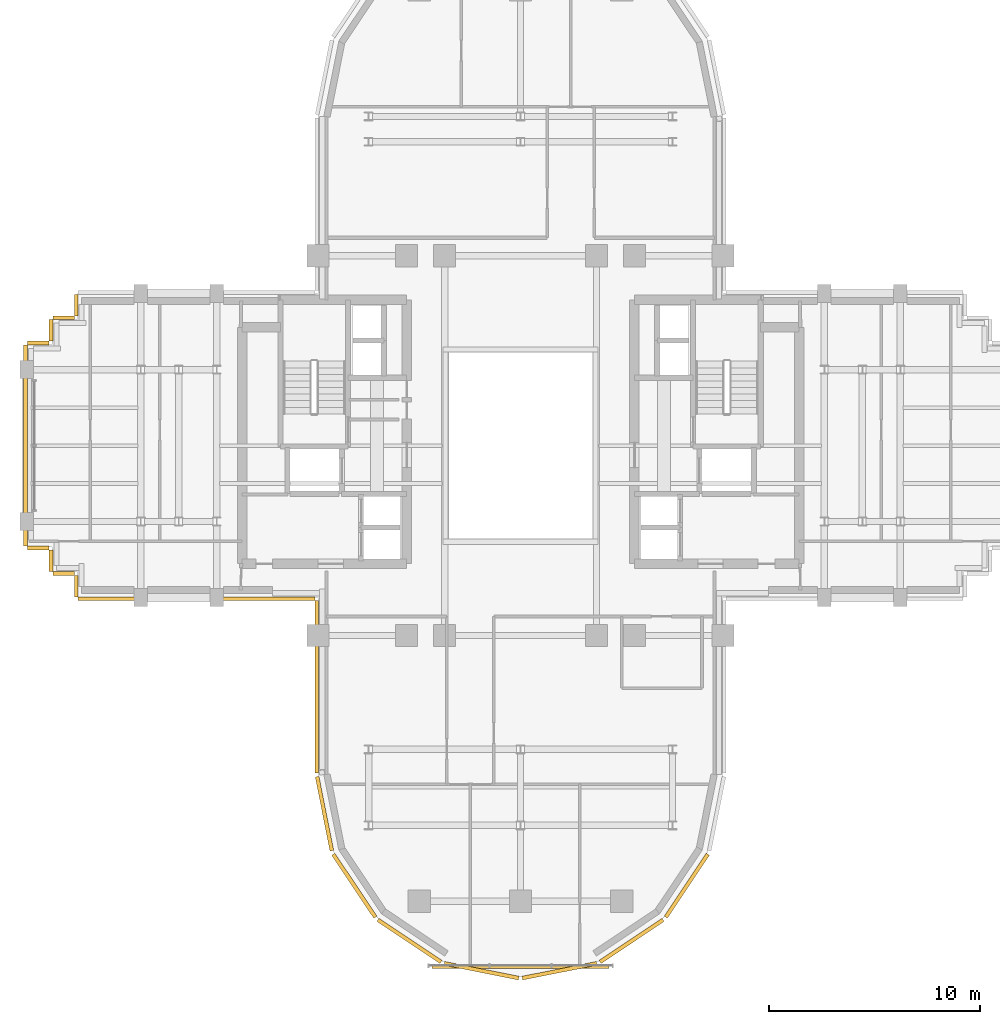
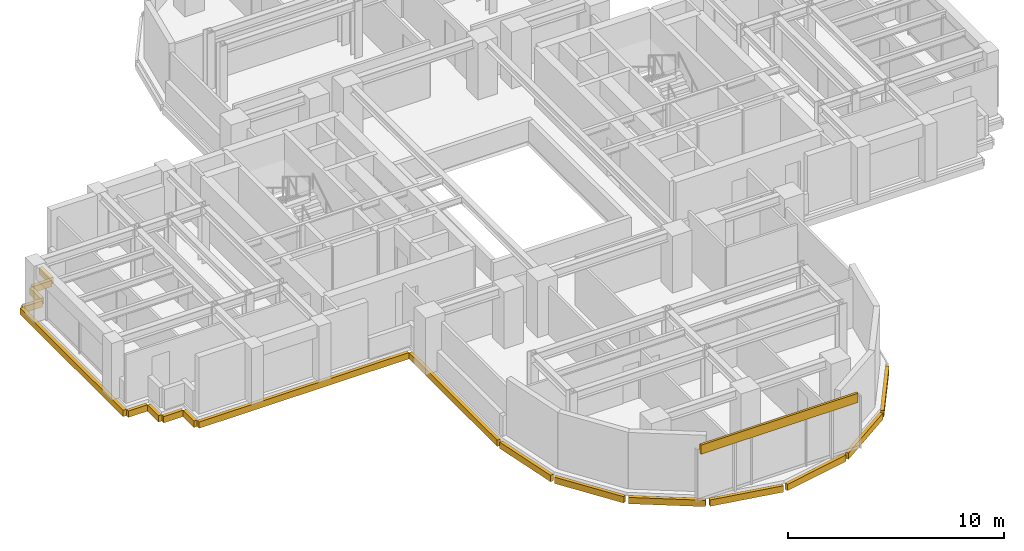
# One storey, part 12 of 14: 19 coverings.
"""IFC4 building model written with IfcOpenShell, lengths in metres."""

from ifc_helpers import new_model, si_unit, direction, frame, origin, origin_2d, place, context, subcontext, project, spatial, rectangle, extrude, source, transform, mapped, material, layer, layer_set, type_object, element, save


model = new_model("IFC4")

# Units and contexts
model_context = context("Model", 3, precision=1e-05, world=origin(), true_north=direction((0.0, 1.0)))
body_context = subcontext(model_context, "Body", "Model", "MODEL_VIEW")
ifc_project = project(units=[si_unit("LENGTHUNIT", "METRE"), si_unit("AREAUNIT", "SQUARE_METRE"), si_unit("VOLUMEUNIT", "CUBIC_METRE"), si_unit("PLANEANGLEUNIT", "RADIAN"), si_unit("MASSUNIT", "GRAM", prefix="KILO")], contexts=[model_context])

# Site, building, storey
site_placement = place(None, origin())
site = spatial("IfcSite", under=ifc_project, at=site_placement, CompositionType="ELEMENT")
building_placement = place(site_placement, origin())
building = spatial("IfcBuilding", under=site, at=building_placement, Name="Keilestroom Media Tower", CompositionType="ELEMENT")
storey_placement = place(building_placement, frame((0.0, 0.0, 117.60009765625)))
storey = spatial("IfcBuildingStorey", under=building, at=storey_placement, Name="L31", CompositionType="ELEMENT", Elevation=117.60009765625)

# Coverings
ifc_material = material(Name="Precast concrete C40/50", Category="concrete")
ifc_layer = layer(ifc_material, 0.1201171875)
ifc_layer_set = layer_set([ifc_layer], Name="Precast concrete C40/50")
covering_type = type_object("IfcCoveringType", Name="Exterior-Precast-Spandrel-Cladding-Panel-120", PredefinedType="CLADDING", material=ifc_layer_set)
shared_shape_1 = source(origin(), body_context, "Body", "SweptSolid", [
    extrude(rectangle(XDim=8.39990234375, YDim=0.1201171875, at=origin_2d()), origin(), (0.0, 0.0, 1.0), 0.52001953125),
])
covering_1_placement = place(storey_placement, frame((0.0, -24.719970703125, 2.68994140625), z_axis=(0.0, 0.0, 1.0), x_axis=(1.0, 0.0, 0.0)))
element("IfcCovering", 1, at=covering_1_placement, inside=storey, type_object=covering_type, Name="L31 Precast Spandrel Cladding S", PredefinedType="CLADDING", context=body_context, shape_type="MappedRepresentation", body=[
    mapped(shared_shape_1, transform((0.0, 0.0, 0.0), x_axis=(1.0, 0.0, 0.0), y_axis=(0.0, 1.0, 0.0), z_axis=(0.0, 0.0, 1.0), scale=1.0)),
])
shared_shape_2 = source(origin(), body_context, "Body", "SweptSolid", [
    extrude(rectangle(XDim=1.02001953125, YDim=0.179931640625, at=origin_2d()), origin(), (0.0, 0.0, 1.0), 0.360107421875),
])
for number, where, z_axis, x_axis, name in (
    (2, (-21.06005859375, -6.659912109375, -0.5400390625), (0.0, 0.0, 1.0), (0.0, 1.0, 0.0), "L31 Precast Slab-Edge Fascia Cornice 17"),
    (3, (-21.659912109375, -6.06005859375, -0.5400390625), (0.0, 0.0, 1.0), (-1.0, 0.0, 0.0), "L31 Precast Slab-Edge Fascia Cornice 18"),
    (4, (-22.260009765625, -5.4599609375, -0.5400390625), (0.0, 0.0, 1.0), (0.0, 1.0, 0.0), "L31 Precast Slab-Edge Fascia Cornice 19"),
    (5, (-22.860107421875, -4.860107421875, -0.5400390625), (0.0, 0.0, 1.0), (-1.0, 0.0, 0.0), "L31 Precast Slab-Edge Fascia Cornice 20"),
    (6, (-22.860107421875, 4.860107421875, -0.5400390625), (0.0, 0.0, 1.0), (1.0, 0.0, 0.0), "L31 Precast Slab-Edge Fascia Cornice 22"),
    (7, (-22.260009765625, 5.4599609375, -0.5400390625), (0.0, 0.0, 1.0), (0.0, 1.0, 0.0), "L31 Precast Slab-Edge Fascia Cornice 23"),
    (8, (-21.659912109375, 6.06005859375, -0.5400390625), (0.0, 0.0, 1.0), (1.0, 0.0, 0.0), "L31 Precast Slab-Edge Fascia Cornice 24"),
    (9, (-21.06005859375, 6.659912109375, -0.5400390625), (0.0, 0.0, 1.0), (0.0, 1.0, 0.0), "L31 Precast Slab-Edge Fascia Cornice 25"),
):
    element("IfcCovering", number, at=place(storey_placement, frame(where, z_axis=z_axis, x_axis=x_axis)), inside=storey, type_object=covering_type, Name=name, PredefinedType="CLADDING", context=body_context, shape_type="MappedRepresentation", body=[
        mapped(shared_shape_2, transform((0.0, 0.0, 0.0), x_axis=(1.0, 0.0, 0.0), y_axis=(0.0, 1.0, 0.0), z_axis=(0.0, 0.0, 1.0), scale=1.0)),
    ])
shared_shape_3 = source(origin(), body_context, "Body", "SweptSolid", [
    extrude(rectangle(XDim=8.166015625, YDim=0.179931640625, at=origin_2d()), origin(), (0.0, 0.0, 1.0), 0.360107421875),
])
covering_2_placement = place(storey_placement, frame((-9.659912109375, -11.43310546875, -0.5400390625), z_axis=(0.0, 0.0, 1.0), x_axis=(0.0, 1.0, 0.0)))
element("IfcCovering", 10, at=covering_2_placement, inside=storey, type_object=covering_type, Name="L31 Precast Slab-Edge Fascia Cornice 15", PredefinedType="CLADDING", context=body_context, shape_type="MappedRepresentation", body=[
    mapped(shared_shape_3, transform((0.0, 0.0, 0.0), x_axis=(1.0, 0.0, 0.0), y_axis=(0.0, 1.0, 0.0), z_axis=(0.0, 0.0, 1.0), scale=1.0)),
])
shared_shape_4 = source(origin(), body_context, "Body", "SweptSolid", [
    extrude(rectangle(XDim=3.58349609375, YDim=0.179931640625, at=origin_2d()), origin(), (0.0, 0.0, 1.0), 0.360107421875),
])
covering_3_placement = place(storey_placement, frame((-9.29296875, -17.45166015625, -0.5400390625), z_axis=(0.0, 0.0, 1.0), x_axis=(-0.195098880975, 0.980783577882, 0.0)))
element("IfcCovering", 11, at=covering_3_placement, inside=storey, type_object=covering_type, Name="L31 Precast Slab-Edge Fascia Cornice 14", PredefinedType="CLADDING", context=body_context, shape_type="MappedRepresentation", body=[
    mapped(shared_shape_4, transform((0.0, 0.0, 0.0), x_axis=(1.0, 0.0, 0.0), y_axis=(0.0, 1.0, 0.0), z_axis=(0.0, 0.0, 1.0), scale=1.0)),
])
shared_shape_5 = source(origin(), body_context, "Body", "SweptSolid", [
    extrude(rectangle(XDim=3.589599609375, YDim=0.179931640625, at=origin_2d()), origin(), (0.0, 0.0, 1.0), 0.360107421875),
])
for number, where, z_axis, x_axis, name in (
    (12, (7.878662109375, -20.8642578125, -0.5400390625), (0.0, 0.0, 1.0), (-0.555574586577, -0.831466703332, 0.0), "L31 Precast Slab-Edge Fascia Cornice 08"),
    (13, (5.264404296875, -23.478515625, -0.5400390625), (0.0, 0.0, 1.0), (-0.831466703332, -0.555574586577, 0.0), "L31 Precast Slab-Edge Fascia Cornice 09"),
    (14, (1.8486328125, -24.893310546875, -0.5400390625), (0.0, 0.0, 1.0), (-0.980783577882, -0.195098880975, 0.0), "L31 Precast Slab-Edge Fascia Cornice 10"),
    (15, (-1.8486328125, -24.893310546875, -0.5400390625), (0.0, 0.0, 1.0), (-0.980783577882, 0.195098880975, 0.0), "L31 Precast Slab-Edge Fascia Cornice 11"),
    (16, (-5.264404296875, -23.478515625, -0.5400390625), (0.0, 0.0, 1.0), (-0.831466703332, 0.555574586577, 0.0), "L31 Precast Slab-Edge Fascia Cornice 12"),
    (17, (-7.878662109375, -20.8642578125, -0.5400390625), (0.0, 0.0, 1.0), (-0.555574586577, 0.831466703332, 0.0), "L31 Precast Slab-Edge Fascia Cornice 13"),
):
    element("IfcCovering", number, at=place(storey_placement, frame(where, z_axis=z_axis, x_axis=x_axis)), inside=storey, type_object=covering_type, Name=name, PredefinedType="CLADDING", context=body_context, shape_type="MappedRepresentation", body=[
        mapped(shared_shape_5, transform((0.0, 0.0, 0.0), x_axis=(1.0, 0.0, 0.0), y_axis=(0.0, 1.0, 0.0), z_axis=(0.0, 0.0, 1.0), scale=1.0)),
    ])
shared_shape_6 = source(origin(), body_context, "Body", "SweptSolid", [
    extrude(rectangle(XDim=9.5400390625, YDim=0.179931640625, at=origin_2d()), origin(), (0.0, 0.0, 1.0), 0.360107421875),
])
covering_4_placement = place(storey_placement, frame((-23.4599609375, 0.0, -0.5400390625), z_axis=(0.0, 0.0, 1.0), x_axis=(0.0, 1.0, 0.0)))
element("IfcCovering", 18, at=covering_4_placement, inside=storey, type_object=covering_type, Name="L31 Precast Slab-Edge Fascia Cornice 21", PredefinedType="CLADDING", context=body_context, shape_type="MappedRepresentation", body=[
    mapped(shared_shape_6, transform((0.0, 0.0, 0.0), x_axis=(1.0, 0.0, 0.0), y_axis=(0.0, 1.0, 0.0), z_axis=(0.0, 0.0, 1.0), scale=1.0)),
])
shared_shape_7 = source(origin(), body_context, "Body", "SweptSolid", [
    extrude(rectangle(XDim=11.219970703125, YDim=0.179931640625, at=origin_2d()), origin(), (0.0, 0.0, 1.0), 0.360107421875),
])
covering_5_placement = place(storey_placement, frame((-15.360107421875, -7.260009765625, -0.5400390625), z_axis=(0.0, 0.0, 1.0), x_axis=(-1.0, 0.0, 0.0)))
element("IfcCovering", 19, at=covering_5_placement, inside=storey, type_object=covering_type, Name="L31 Precast Slab-Edge Fascia Cornice 16", PredefinedType="CLADDING", context=body_context, shape_type="MappedRepresentation", body=[
    mapped(shared_shape_7, transform((0.0, 0.0, 0.0), x_axis=(1.0, 0.0, 0.0), y_axis=(0.0, 1.0, 0.0), z_axis=(0.0, 0.0, 1.0), scale=1.0)),
])

save(model, "model.ifc")
